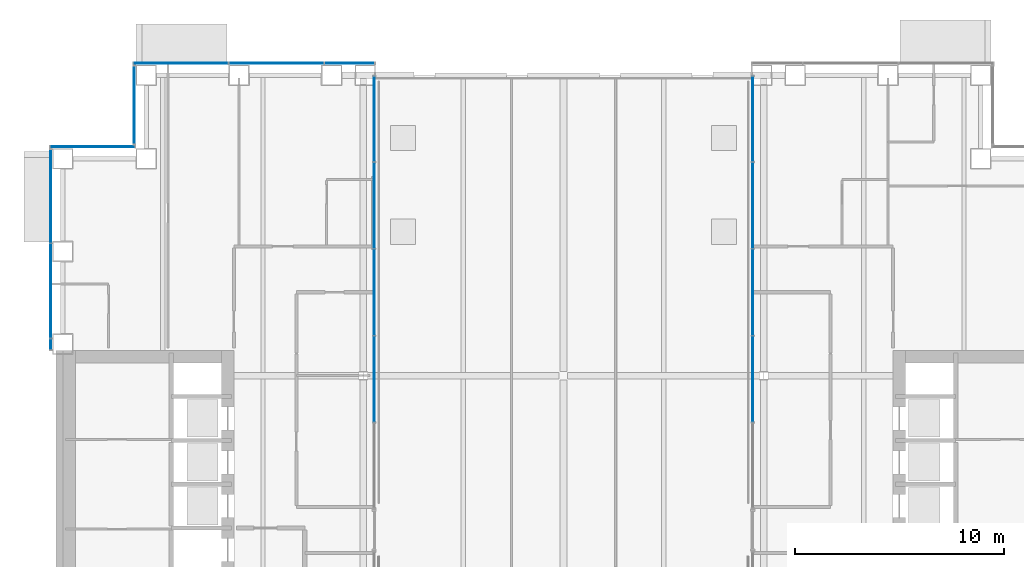
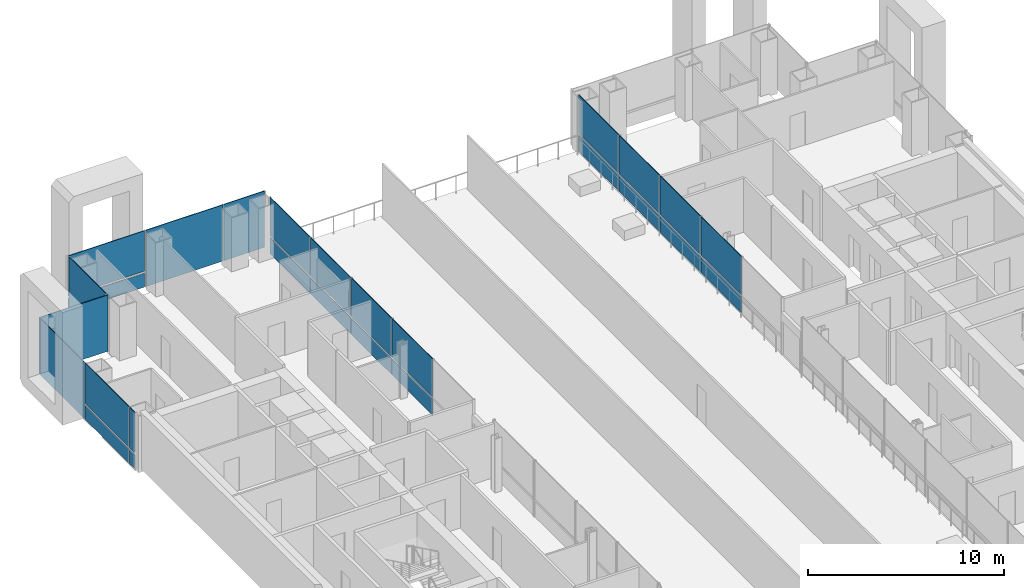
# One storey, part 15 of 24: 27 plates, 6 elements without a shape of their own.
"""IFC4 building model written with IfcOpenShell, lengths in metres."""

from ifc_helpers import new_model, si_unit, direction, frame, origin, origin_2d, place, context, subcontext, project, spatial, rectangle, extrude, material, layer, layer_set, type_object, element, aggregate, save


model = new_model("IFC4")

# Units and contexts
model_context = context("Model", 3, precision=1e-05, world=origin(), true_north=direction((0.0, 1.0)))
body_context = subcontext(model_context, "Body", "Model", "MODEL_VIEW")
ifc_project = project(units=[si_unit("LENGTHUNIT", "METRE"), si_unit("AREAUNIT", "SQUARE_METRE"), si_unit("VOLUMEUNIT", "CUBIC_METRE"), si_unit("PLANEANGLEUNIT", "RADIAN"), si_unit("MASSUNIT", "GRAM", prefix="KILO")], contexts=[model_context])

# Site, building, storey
site_placement = place(None, origin())
site = spatial("IfcSite", under=ifc_project, at=site_placement, CompositionType="ELEMENT")
building_placement = place(site_placement, origin())
building = spatial("IfcBuilding", under=site, at=building_placement, Name="Cobrizo Arcos Hotel Tower", CompositionType="ELEMENT")
storey_placement = place(building_placement, frame((0.0, 0.0, 60.0)))
storey = spatial("IfcBuildingStorey", under=building, at=storey_placement, Name="L13", CompositionType="ELEMENT", Elevation=60.0)

# Curtain wall, plate
ifc_material_1 = material(Name="Aluminium 6063-T6 anodised bronze", Category="aluminium")
curtain_wall_type_1 = type_object("IfcCurtainWallType", Name="CW-A guest facade", PredefinedType="NOTDEFINED", material=ifc_material_1)
curtain_wall_1_placement = place(storey_placement, origin())
curtain_wall_1 = element("IfcCurtainWall", 1, at=curtain_wall_1_placement, inside=storey, type_object=curtain_wall_type_1, Name="CW-A L13 N face", PredefinedType="NOTDEFINED")
ifc_material_2 = material(Name="Glass clear laminated low-e", Category="glass")
ifc_layer_1 = layer(ifc_material_2, 0.0400390625)
ifc_layer_set_1 = layer_set([ifc_layer_1], Name="CW-A glass panel")
plate_type_1 = type_object("IfcPlateType", Name="CW-A glass panel", PredefinedType="CURTAIN_PANEL", material=ifc_layer_set_1)
plate_1_placement = place(storey_placement, frame((-18.340576171875, 24.574951171875, 0.990234375), z_axis=(0.0, 0.0, 1.0), x_axis=(-1.0, 0.0, 0.0)))
plate_1 = element("IfcPlate", 2, at=plate_1_placement, type_object=plate_type_1, Name="CW-A glass panel 610", PredefinedType="CURTAIN_PANEL", context=body_context, shape_type="SweptSolid", body=[
    extrude(rectangle(XDim=4.498779296875, YDim=0.0400390625, at=origin_2d()), origin(), (0.0, 0.0, 1.0), 2.510009765625),
])

# Curtain wall, plates
curtain_wall_2_placement = place(storey_placement, origin())
curtain_wall_2 = element("IfcCurtainWall", 3, at=curtain_wall_2_placement, inside=storey, type_object=curtain_wall_type_1, Name="CW-A L13 W face", PredefinedType="NOTDEFINED")
plate_2_placement = place(storey_placement, frame((-24.574951171875, 13.666748046875, 0.990234375), z_axis=(0.0, 0.0, 1.0), x_axis=(0.0, -1.0, 0.0)))
plate_2 = element("IfcPlate", 4, at=plate_2_placement, type_object=plate_type_1, Name="CW-A glass panel 614", PredefinedType="CURTAIN_PANEL", context=body_context, shape_type="SweptSolid", body=[
    extrude(rectangle(XDim=4.49560546875, YDim=0.0400390625, at=origin_2d()), origin(), (0.0, 0.0, 1.0), 2.510009765625),
])
plate_3_placement = place(storey_placement, frame((-24.574951171875, 11.109375, 0.990234375), z_axis=(0.0, 0.0, 1.0), x_axis=(0.0, -1.0, 0.0)))
plate_3 = element("IfcPlate", 5, at=plate_3_placement, type_object=plate_type_1, Name="CW-A glass panel 615", PredefinedType="CURTAIN_PANEL", context=body_context, shape_type="SweptSolid", body=[
    extrude(rectangle(XDim=0.498779296875, YDim=0.0400390625, at=origin_2d()), origin(), (0.0, 0.0, 1.0), 2.510009765625),
])

# Plate
ifc_material_3 = material(Name="Aluminium composite panel pale metal", Category="aluminium")
ifc_layer_2 = layer(ifc_material_3, 0.0400390625)
ifc_layer_set_2 = layer_set([ifc_layer_2], Name="CW-A spandrel panel")
plate_type_2 = type_object("IfcPlateType", Name="CW-A spandrel panel", PredefinedType="CURTAIN_PANEL", material=ifc_layer_set_2)
plate_4_placement = place(storey_placement, frame((-10.251220703125, 24.574951171875, 0.0), z_axis=(0.0, 0.0, 1.0), x_axis=(-1.0, 0.0, 0.0)))
plate_4 = element("IfcPlate", 6, at=plate_4_placement, type_object=plate_type_2, Name="CW-A spandrel panel 608", PredefinedType="CURTAIN_PANEL", context=body_context, shape_type="SweptSolid", body=[
    extrude(rectangle(XDim=2.38232421875, YDim=0.0400390625, at=origin_2d()), origin(), (0.0, 0.0, 1.0), 3.5),
])

plate_5_placement = place(storey_placement, frame((-13.7666015625, 24.574951171875, 0.0), z_axis=(0.0, 0.0, 1.0), x_axis=(-1.0, 0.0, 0.0)))
plate_5 = element("IfcPlate", 7, at=plate_5_placement, type_object=plate_type_2, Name="CW-A spandrel panel 609", PredefinedType="CURTAIN_PANEL", context=body_context, shape_type="SweptSolid", body=[
    extrude(rectangle(XDim=4.52880859375, YDim=0.0400390625, at=origin_2d()), origin(), (0.0, 0.0, 1.0), 3.5),
])

plate_6_placement = place(storey_placement, frame((-18.340576171875, 24.574951171875, 0.0), z_axis=(0.0, 0.0, 1.0), x_axis=(-1.0, 0.0, 0.0)))
plate_6 = element("IfcPlate", 8, at=plate_6_placement, type_object=plate_type_2, Name="CW-A spandrel panel 610", PredefinedType="CURTAIN_PANEL", context=body_context, shape_type="SweptSolid", body=[
    extrude(rectangle(XDim=4.498779296875, YDim=0.0400390625, at=origin_2d()), origin(), (0.0, 0.0, 1.0), 0.8701171875),
])

aggregate(curtain_wall_1, [plate_4, plate_5, plate_6, plate_1])

# Curtain wall, plate
curtain_wall_3_placement = place(storey_placement, origin())
curtain_wall_3 = element("IfcCurtainWall", 9, at=curtain_wall_3_placement, inside=storey, type_object=curtain_wall_type_1, Name="CW-A L13 W face", PredefinedType="NOTDEFINED")
plate_7_placement = place(storey_placement, frame((-20.574951171875, 22.574951171875, 0.0), z_axis=(0.0, 0.0, 1.0), x_axis=(0.0, -1.0, 0.0)))
plate_7 = element("IfcPlate", 10, at=plate_7_placement, type_object=plate_type_2, Name="CW-A spandrel panel 611", PredefinedType="CURTAIN_PANEL", context=body_context, shape_type="SweptSolid", body=[
    extrude(rectangle(XDim=3.72998046875, YDim=0.0400390625, at=origin_2d()), origin(), (0.0, 0.0, 1.0), 3.5),
])
aggregate(curtain_wall_3, [plate_7])

curtain_wall_4_placement = place(storey_placement, origin())
curtain_wall_4 = element("IfcCurtainWall", 11, at=curtain_wall_4_placement, inside=storey, type_object=curtain_wall_type_1, Name="CW-A L13 N face", PredefinedType="NOTDEFINED")
plate_8_placement = place(storey_placement, frame((-22.574951171875, 20.574951171875, 0.0), z_axis=(0.0, 0.0, 1.0), x_axis=(-1.0, 0.0, 0.0)))
plate_8 = element("IfcPlate", 12, at=plate_8_placement, type_object=plate_type_2, Name="CW-A spandrel panel 612", PredefinedType="CURTAIN_PANEL", context=body_context, shape_type="SweptSolid", body=[
    extrude(rectangle(XDim=4.030029296875, YDim=0.0400390625, at=origin_2d()), origin(), (0.0, 0.0, 1.0), 3.5),
])
aggregate(curtain_wall_4, [plate_8])

# Plate
plate_9_placement = place(storey_placement, frame((-24.574951171875, 18.207275390625, 0.0), z_axis=(0.0, 0.0, 1.0), x_axis=(0.0, -1.0, 0.0)))
plate_9 = element("IfcPlate", 13, at=plate_9_placement, type_object=plate_type_2, Name="CW-A spandrel panel 613", PredefinedType="CURTAIN_PANEL", context=body_context, shape_type="SweptSolid", body=[
    extrude(rectangle(XDim=4.465576171875, YDim=0.0400390625, at=origin_2d()), origin(), (0.0, 0.0, 1.0), 3.5),
])

plate_10_placement = place(storey_placement, frame((-24.574951171875, 13.666748046875, 0.0), z_axis=(0.0, 0.0, 1.0), x_axis=(0.0, -1.0, 0.0)))
plate_10 = element("IfcPlate", 14, at=plate_10_placement, type_object=plate_type_2, Name="CW-A spandrel panel 614", PredefinedType="CURTAIN_PANEL", context=body_context, shape_type="SweptSolid", body=[
    extrude(rectangle(XDim=4.49560546875, YDim=0.0400390625, at=origin_2d()), origin(), (0.0, 0.0, 1.0), 0.8701171875),
])

plate_11_placement = place(storey_placement, frame((-24.574951171875, 11.109375, 0.0), z_axis=(0.0, 0.0, 1.0), x_axis=(0.0, -1.0, 0.0)))
plate_11 = element("IfcPlate", 15, at=plate_11_placement, type_object=plate_type_2, Name="CW-A spandrel panel 615", PredefinedType="CURTAIN_PANEL", context=body_context, shape_type="SweptSolid", body=[
    extrude(rectangle(XDim=0.498779296875, YDim=0.0400390625, at=origin_2d()), origin(), (0.0, 0.0, 1.0), 0.8701171875),
])

aggregate(curtain_wall_2, [plate_9, plate_10, plate_2, plate_11, plate_3])

# Curtain wall, plates
curtain_wall_type_2 = type_object("IfcCurtainWallType", Name="CW-F void screen", PredefinedType="NOTDEFINED", material=ifc_material_1)
curtain_wall_5_placement = place(storey_placement, origin())
curtain_wall_5 = element("IfcCurtainWall", 16, at=curtain_wall_5_placement, inside=storey, type_object=curtain_wall_type_2, Name="CW-F L13 void screen A", PredefinedType="NOTDEFINED")
ifc_layer_3 = layer(ifc_material_2, 0.0400390625)
ifc_layer_set_3 = layer_set([ifc_layer_3], Name="CW-F glass panel")
plate_type_3 = type_object("IfcPlateType", Name="CW-F glass panel", PredefinedType="CURTAIN_PANEL", material=ifc_layer_set_3)
plate_12_placement = place(storey_placement, frame((9.074951171875, 9.43994140625, 0.0), z_axis=(0.0, 0.0, 1.0), x_axis=(0.0, 1.0, 0.0)))
plate_12 = element("IfcPlate", 17, at=plate_12_placement, type_object=plate_type_3, Name="CW-F glass panel 2433", PredefinedType="CURTAIN_PANEL", context=body_context, shape_type="SweptSolid", body=[
    extrude(rectangle(XDim=4.10009765625, YDim=0.0400390625, at=origin_2d()), origin(), (0.0, 0.0, 1.0), 0.989990234375),
])
plate_13_placement = place(storey_placement, frame((9.074951171875, 9.43994140625, 1.10986328125), z_axis=(0.0, 0.0, 1.0), x_axis=(0.0, 1.0, 0.0)))
plate_13 = element("IfcPlate", 18, at=plate_13_placement, type_object=plate_type_3, Name="CW-F glass panel 2433", PredefinedType="CURTAIN_PANEL", context=body_context, shape_type="SweptSolid", body=[
    extrude(rectangle(XDim=4.10009765625, YDim=0.0400390625, at=origin_2d()), origin(), (0.0, 0.0, 1.0), 2.389892578125),
])
plate_14_placement = place(storey_placement, frame((9.074951171875, 13.60009765625, 0.0), z_axis=(0.0, 0.0, 1.0), x_axis=(0.0, 1.0, 0.0)))
plate_14 = element("IfcPlate", 19, at=plate_14_placement, type_object=plate_type_3, Name="CW-F glass panel 2434", PredefinedType="CURTAIN_PANEL", context=body_context, shape_type="SweptSolid", body=[
    extrude(rectangle(XDim=4.10009765625, YDim=0.0400390625, at=origin_2d()), origin(), (0.0, 0.0, 1.0), 0.989990234375),
])
plate_15_placement = place(storey_placement, frame((9.074951171875, 13.60009765625, 1.10986328125), z_axis=(0.0, 0.0, 1.0), x_axis=(0.0, 1.0, 0.0)))
plate_15 = element("IfcPlate", 20, at=plate_15_placement, type_object=plate_type_3, Name="CW-F glass panel 2434", PredefinedType="CURTAIN_PANEL", context=body_context, shape_type="SweptSolid", body=[
    extrude(rectangle(XDim=4.10009765625, YDim=0.0400390625, at=origin_2d()), origin(), (0.0, 0.0, 1.0), 2.389892578125),
])
plate_16_placement = place(storey_placement, frame((9.074951171875, 17.760009765625, 0.0), z_axis=(0.0, 0.0, 1.0), x_axis=(0.0, 1.0, 0.0)))
plate_16 = element("IfcPlate", 21, at=plate_16_placement, type_object=plate_type_3, Name="CW-F glass panel 2435", PredefinedType="CURTAIN_PANEL", context=body_context, shape_type="SweptSolid", body=[
    extrude(rectangle(XDim=4.10009765625, YDim=0.0400390625, at=origin_2d()), origin(), (0.0, 0.0, 1.0), 0.989990234375),
])
plate_17_placement = place(storey_placement, frame((9.074951171875, 17.760009765625, 1.10986328125), z_axis=(0.0, 0.0, 1.0), x_axis=(0.0, 1.0, 0.0)))
plate_17 = element("IfcPlate", 22, at=plate_17_placement, type_object=plate_type_3, Name="CW-F glass panel 2435", PredefinedType="CURTAIN_PANEL", context=body_context, shape_type="SweptSolid", body=[
    extrude(rectangle(XDim=4.10009765625, YDim=0.0400390625, at=origin_2d()), origin(), (0.0, 0.0, 1.0), 2.389892578125),
])
plate_18_placement = place(storey_placement, frame((9.074951171875, 21.905029296875, 0.0), z_axis=(0.0, 0.0, 1.0), x_axis=(0.0, 1.0, 0.0)))
plate_18 = element("IfcPlate", 23, at=plate_18_placement, type_object=plate_type_3, Name="CW-F glass panel 2436", PredefinedType="CURTAIN_PANEL", context=body_context, shape_type="SweptSolid", body=[
    extrude(rectangle(XDim=4.070068359375, YDim=0.0400390625, at=origin_2d()), origin(), (0.0, 0.0, 1.0), 0.989990234375),
])
plate_19_placement = place(storey_placement, frame((9.074951171875, 21.905029296875, 1.10986328125), z_axis=(0.0, 0.0, 1.0), x_axis=(0.0, 1.0, 0.0)))
plate_19 = element("IfcPlate", 24, at=plate_19_placement, type_object=plate_type_3, Name="CW-F glass panel 2436", PredefinedType="CURTAIN_PANEL", context=body_context, shape_type="SweptSolid", body=[
    extrude(rectangle(XDim=4.070068359375, YDim=0.0400390625, at=origin_2d()), origin(), (0.0, 0.0, 1.0), 2.389892578125),
])
aggregate(curtain_wall_5, [plate_12, plate_13, plate_14, plate_15, plate_16, plate_17, plate_18, plate_19])

curtain_wall_6_placement = place(storey_placement, origin())
curtain_wall_6 = element("IfcCurtainWall", 25, at=curtain_wall_6_placement, inside=storey, type_object=curtain_wall_type_2, Name="CW-F L13 void screen A", PredefinedType="NOTDEFINED")
plate_20_placement = place(storey_placement, frame((-9.074951171875, 21.905029296875, 0.0), z_axis=(0.0, 0.0, 1.0), x_axis=(0.0, -1.0, 0.0)))
plate_20 = element("IfcPlate", 26, at=plate_20_placement, type_object=plate_type_3, Name="CW-F glass panel 2437", PredefinedType="CURTAIN_PANEL", context=body_context, shape_type="SweptSolid", body=[
    extrude(rectangle(XDim=4.070068359375, YDim=0.0400390625, at=origin_2d()), origin(), (0.0, 0.0, 1.0), 0.989990234375),
])
plate_21_placement = place(storey_placement, frame((-9.074951171875, 21.905029296875, 1.10986328125), z_axis=(0.0, 0.0, 1.0), x_axis=(0.0, -1.0, 0.0)))
plate_21 = element("IfcPlate", 27, at=plate_21_placement, type_object=plate_type_3, Name="CW-F glass panel 2437", PredefinedType="CURTAIN_PANEL", context=body_context, shape_type="SweptSolid", body=[
    extrude(rectangle(XDim=4.070068359375, YDim=0.0400390625, at=origin_2d()), origin(), (0.0, 0.0, 1.0), 2.389892578125),
])
plate_22_placement = place(storey_placement, frame((-9.074951171875, 17.760009765625, 0.0), z_axis=(0.0, 0.0, 1.0), x_axis=(0.0, -1.0, 0.0)))
plate_22 = element("IfcPlate", 28, at=plate_22_placement, type_object=plate_type_3, Name="CW-F glass panel 2438", PredefinedType="CURTAIN_PANEL", context=body_context, shape_type="SweptSolid", body=[
    extrude(rectangle(XDim=4.10009765625, YDim=0.0400390625, at=origin_2d()), origin(), (0.0, 0.0, 1.0), 0.989990234375),
])
plate_23_placement = place(storey_placement, frame((-9.074951171875, 17.760009765625, 1.10986328125), z_axis=(0.0, 0.0, 1.0), x_axis=(0.0, -1.0, 0.0)))
plate_23 = element("IfcPlate", 29, at=plate_23_placement, type_object=plate_type_3, Name="CW-F glass panel 2438", PredefinedType="CURTAIN_PANEL", context=body_context, shape_type="SweptSolid", body=[
    extrude(rectangle(XDim=4.10009765625, YDim=0.0400390625, at=origin_2d()), origin(), (0.0, 0.0, 1.0), 2.389892578125),
])
plate_24_placement = place(storey_placement, frame((-9.074951171875, 13.60009765625, 0.0), z_axis=(0.0, 0.0, 1.0), x_axis=(0.0, -1.0, 0.0)))
plate_24 = element("IfcPlate", 30, at=plate_24_placement, type_object=plate_type_3, Name="CW-F glass panel 2439", PredefinedType="CURTAIN_PANEL", context=body_context, shape_type="SweptSolid", body=[
    extrude(rectangle(XDim=4.10009765625, YDim=0.0400390625, at=origin_2d()), origin(), (0.0, 0.0, 1.0), 0.989990234375),
])
plate_25_placement = place(storey_placement, frame((-9.074951171875, 13.60009765625, 1.10986328125), z_axis=(0.0, 0.0, 1.0), x_axis=(0.0, -1.0, 0.0)))
plate_25 = element("IfcPlate", 31, at=plate_25_placement, type_object=plate_type_3, Name="CW-F glass panel 2439", PredefinedType="CURTAIN_PANEL", context=body_context, shape_type="SweptSolid", body=[
    extrude(rectangle(XDim=4.10009765625, YDim=0.0400390625, at=origin_2d()), origin(), (0.0, 0.0, 1.0), 2.389892578125),
])
plate_26_placement = place(storey_placement, frame((-9.074951171875, 9.43994140625, 0.0), z_axis=(0.0, 0.0, 1.0), x_axis=(0.0, -1.0, 0.0)))
plate_26 = element("IfcPlate", 32, at=plate_26_placement, type_object=plate_type_3, Name="CW-F glass panel 2440", PredefinedType="CURTAIN_PANEL", context=body_context, shape_type="SweptSolid", body=[
    extrude(rectangle(XDim=4.10009765625, YDim=0.0400390625, at=origin_2d()), origin(), (0.0, 0.0, 1.0), 0.989990234375),
])
plate_27_placement = place(storey_placement, frame((-9.074951171875, 9.43994140625, 1.10986328125), z_axis=(0.0, 0.0, 1.0), x_axis=(0.0, -1.0, 0.0)))
plate_27 = element("IfcPlate", 33, at=plate_27_placement, type_object=plate_type_3, Name="CW-F glass panel 2440", PredefinedType="CURTAIN_PANEL", context=body_context, shape_type="SweptSolid", body=[
    extrude(rectangle(XDim=4.10009765625, YDim=0.0400390625, at=origin_2d()), origin(), (0.0, 0.0, 1.0), 2.389892578125),
])
aggregate(curtain_wall_6, [plate_20, plate_21, plate_22, plate_23, plate_24, plate_25, plate_26, plate_27])

save(model, "model.ifc")
